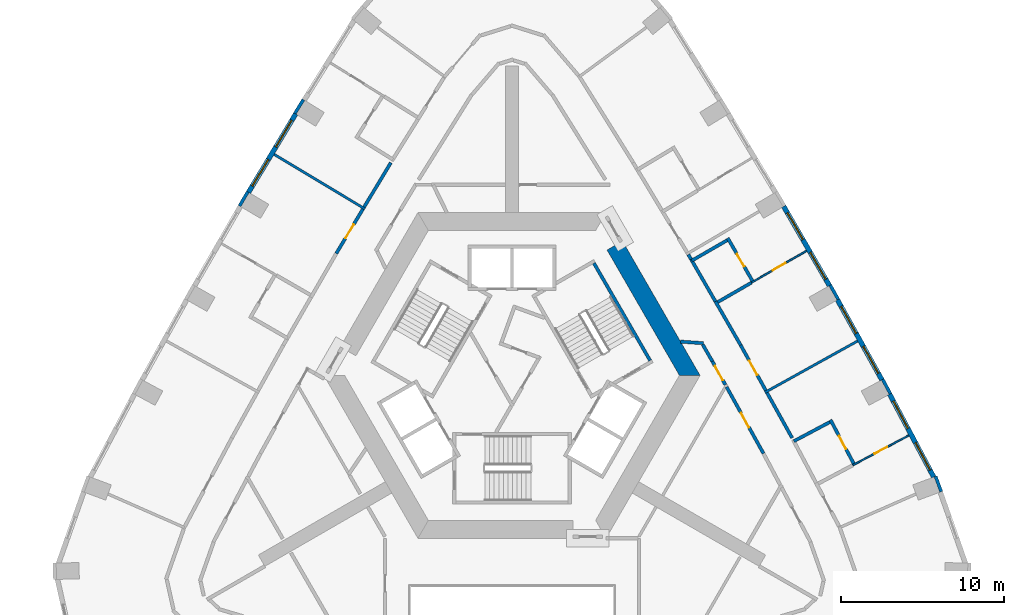
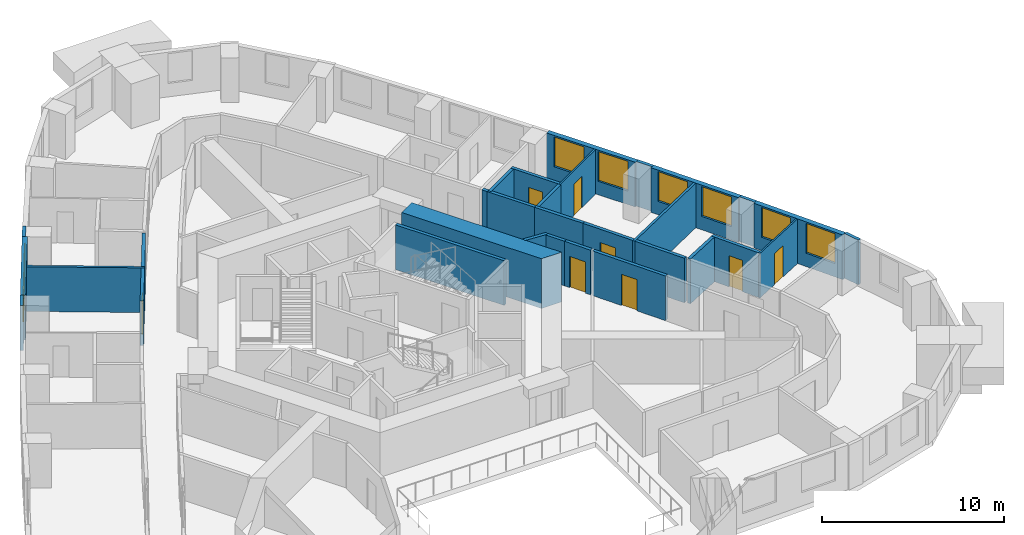
# One storey, part 7 of 12: 31 walls, 8 doors, 8 windows, 16 openings.
"""IFC4 building model written with IfcOpenShell, lengths in metres."""

from ifc_helpers import new_model, si_unit, direction, frame, frame_2d, origin, place, context, subcontext, project, spatial, polyline, rectangle, outline, extrude, material, layer, layer_set, type_object, element, fill, save


model = new_model("IFC4")

# Units and contexts
model_context = context("Model", 3, precision=1e-05, world=origin(), true_north=direction((0.0, 1.0)))
body_context = subcontext(model_context, "Body", "Model", "MODEL_VIEW")
ifc_project = project(units=[si_unit("LENGTHUNIT", "METRE"), si_unit("AREAUNIT", "SQUARE_METRE"), si_unit("VOLUMEUNIT", "CUBIC_METRE"), si_unit("PLANEANGLEUNIT", "RADIAN"), si_unit("MASSUNIT", "GRAM", prefix="KILO")], contexts=[model_context])

# Site, building, storey
site_placement = place(None, origin())
site = spatial("IfcSite", under=ifc_project, at=site_placement, CompositionType="ELEMENT")
building_placement = place(site_placement, origin())
building = spatial("IfcBuilding", under=site, at=building_placement, Name="Entoto Arch Interchange Tower", CompositionType="ELEMENT")
storey_placement = place(building_placement, frame((0.0, 0.0, 277.39990234375)))
storey = spatial("IfcBuildingStorey", under=building, at=storey_placement, Name="L64", CompositionType="ELEMENT", Elevation=277.39990234375)

# Wall
ifc_material_1 = material(Name="Concrete C40/50", Category="concrete")
ifc_layer_1 = layer(ifc_material_1, 1.10009765625)
ifc_layer_set_1 = layer_set([ifc_layer_1], Name="Concrete C40/50")
wall_type_1 = type_object("IfcWallType", Name="Core wall 1100 C40/50", PredefinedType="SHEAR", material=ifc_layer_set_1)
wall_1_placement = place(storey_placement, frame((0.0, 0.0, -0.33984375)))
element("IfcWall", 1, at=wall_1_placement, inside=storey, type_object=wall_type_1, Name="Core wall NE L64", PredefinedType="SHEAR", context=body_context, shape_type="SweptSolid", body=[
    extrude(outline(polyline([(6.785888671875, 10.7470703125), (5.8330078125, 10.197021484375), (10.277099609375, 2.5), (11.547119140625, 2.5), (6.785888671875, 10.7470703125)])), origin(), (0.0, 0.0, 1.0), 3.33984375),
])

# Wall, opening, door
ifc_material_2 = material(Name="Gypsum board partition on steel studs", Category="steel")
ifc_layer_2 = layer(ifc_material_2, 0.10009765625)
ifc_layer_set_2 = layer_set([ifc_layer_2], Name="Gypsum board partition on steel studs")
wall_type_2 = type_object("IfcWallType", Name="PARTITION 100", PredefinedType="PARTITIONING", material=ifc_layer_set_2)
wall_2_placement = place(storey_placement, frame((20.919921875, -3.014892578125, 0.0), z_axis=(0.0, 0.0, 1.0), x_axis=(0.882939758336, 0.469486297083, 0.0)))
wall_2 = element("IfcWall", 2, at=wall_2_placement, inside=storey, type_object=wall_type_2, Name="wall:L64:p096", PredefinedType="PARTITIONING", context=body_context, shape_type="SweptSolid", body=[
    extrude(rectangle(XDim=3.899658203125, YDim=0.10009765625, at=frame_2d((1.94970703125, 0.0))), origin(), (0.0, 0.0, 1.0), 3.0),
])
opening_1_placement = place(wall_2_placement, frame((1.5, 0.0, 0.0)))
opening_1 = element("IfcOpeningElement", 3, at=opening_1_placement, cuts=wall_2, Name="Opening L64-D02", PredefinedType="OPENING", context=body_context, shape_type="SweptSolid", body=[
    extrude(rectangle(XDim=0.89990234375, YDim=2.10009765625, at=frame_2d((0.449951171875, 1.050048828125))), frame((0.0, 0.06005859375, 0.0), z_axis=(0.0, -1.0, 0.0), x_axis=(1.0, 0.0, 0.0)), (0.0, 0.0, 1.0), 0.1201171875),
])
ifc_material_3 = material(Name="Timber door leaf in Steel S235 frame", Category="steel")
door_type_1 = type_object("IfcDoorType", Name="DOOR DS-09 900x2100", OperationType="SINGLE_SWING_LEFT", PredefinedType="DOOR", material=ifc_material_3)
door_1_placement = place(opening_1_placement, origin())
door_1 = element("IfcDoor", 4, at=door_1_placement, inside=storey, type_object=door_type_1, Name="door:L64:02", OperationType="SINGLE_SWING_LEFT", OverallHeight=2.10009765625, OverallWidth=0.89990234375, PredefinedType="DOOR", context=body_context, shape_type="SweptSolid", body=[
    extrude(rectangle(XDim=0.89990234375, YDim=2.10009765625, at=frame_2d((0.449951171875, 1.050048828125))), frame((0.0, 0.02490234375, 0.0), z_axis=(0.0, -1.0, 0.0), x_axis=(1.0, 0.0, 0.0)), (0.0, 0.0, 1.0), 0.050048828125),
])
fill(opening_1, door_1)

wall_3_placement = place(storey_placement, frame((14.70703125, 8.197998046875, 0.0), z_axis=(0.0, 0.0, 1.0), x_axis=(0.865995823051, 0.500051231833, 0.0)))
wall_3 = element("IfcWall", 5, at=wall_3_placement, inside=storey, type_object=wall_type_2, Name="wall:L64:p101", PredefinedType="PARTITIONING", context=body_context, shape_type="SweptSolid", body=[
    extrude(rectangle(XDim=3.8994140625, YDim=0.10009765625, at=frame_2d((1.94970703125, 0.0))), origin(), (0.0, 0.0, 1.0), 3.0),
])
opening_2_placement = place(wall_3_placement, frame((1.5, 0.0, 0.0)))
opening_2 = element("IfcOpeningElement", 6, at=opening_2_placement, cuts=wall_3, Name="Opening L64-D05", PredefinedType="OPENING", context=body_context, shape_type="SweptSolid", body=[
    extrude(rectangle(XDim=0.89990234375, YDim=2.10009765625, at=frame_2d((0.449951171875, 1.050048828125))), frame((0.0, 0.06005859375, 0.0), z_axis=(0.0, -1.0, 0.0), x_axis=(1.0, 0.0, 0.0)), (0.0, 0.0, 1.0), 0.1201171875),
])
door_2_placement = place(opening_2_placement, origin())
door_2 = element("IfcDoor", 7, at=door_2_placement, inside=storey, type_object=door_type_1, Name="door:L64:05", OperationType="SINGLE_SWING_LEFT", OverallHeight=2.10009765625, OverallWidth=0.89990234375, PredefinedType="DOOR", context=body_context, shape_type="SweptSolid", body=[
    extrude(rectangle(XDim=0.89990234375, YDim=2.10009765625, at=frame_2d((0.449951171875, 1.050048828125))), frame((0.0, 0.02490234375, 0.0), z_axis=(0.0, -1.0, 0.0), x_axis=(1.0, 0.0, 0.0)), (0.0, 0.0, 1.0), 0.050048828125),
])
fill(opening_2, door_2)

# Walls
ifc_layer_3 = layer(ifc_material_2, 0.14990234375)
ifc_layer_set_3 = layer_set([ifc_layer_3], Name="Gypsum board partition on steel studs")
wall_type_3 = type_object("IfcWallType", Name="PARTITION 150", PredefinedType="PARTITIONING", material=ifc_layer_set_3)
wall_4_placement = place(storey_placement, frame((15.531982421875, 1.45703125, 0.0), z_axis=(0.0, 0.0, 1.0), x_axis=(0.874467143452, 0.485084750351, 0.0)))
element("IfcWall", 8, at=wall_4_placement, inside=storey, type_object=wall_type_3, Name="wall:L64:p100", PredefinedType="PARTITIONING", context=body_context, shape_type="SweptSolid", body=[
    extrude(rectangle(XDim=6.5, YDim=0.14990234375, at=frame_2d((3.25, 0.0))), origin(), (0.0, 0.0, 1.0), 3.0),
])
wall_5_placement = place(storey_placement, frame((-9.028076171875, 12.721923828125, 0.0), z_axis=(0.0, 0.0, 1.0), x_axis=(-0.857330501016, 0.514766366449, 0.0)))
element("IfcWall", 9, at=wall_5_placement, inside=storey, type_object=wall_type_3, Name="wall:L64:p116", PredefinedType="PARTITIONING", context=body_context, shape_type="SweptSolid", body=[
    extrude(rectangle(XDim=6.50048828125, YDim=0.14990234375, at=frame_2d((3.250244140625, 0.0))), origin(), (0.0, 0.0, 1.0), 3.0),
])

# Wall, opening, door
ifc_layer_4 = layer(ifc_material_2, 0.199951171875)
ifc_layer_set_4 = layer_set([ifc_layer_4], Name="Gypsum board partition on steel studs")
wall_type_4 = type_object("IfcWallType", Name="PARTITION 200", PredefinedType="PARTITIONING", material=ifc_layer_set_4)
wall_6_placement = place(storey_placement, frame((13.10205078125, 1.9208984375, 0.0), z_axis=(0.0, 0.0, 1.0), x_axis=(-0.485065409582, 0.874477871891, 0.0)))
wall_6 = element("IfcWall", 10, at=wall_6_placement, inside=storey, type_object=wall_type_4, Name="wall:L64:p009", PredefinedType="PARTITIONING", context=body_context, shape_type="SweptSolid", body=[
    extrude(rectangle(XDim=1.6513671875, YDim=0.199951171875, at=frame_2d((0.82568359375, 0.0))), origin(), (0.0, 0.0, 1.0), 3.0),
])
opening_3_placement = place(wall_6_placement, frame((0.324951171875, 0.0, 0.0)))
opening_3 = element("IfcOpeningElement", 11, at=opening_3_placement, cuts=wall_6, Name="Opening L64-D32", PredefinedType="OPENING", context=body_context, shape_type="SweptSolid", body=[
    extrude(rectangle(XDim=1.0, YDim=2.10009765625, at=frame_2d((0.5, 1.050048828125))), frame((0.0, 0.10986328125, 0.0), z_axis=(0.0, -1.0, 0.0), x_axis=(1.0, 0.0, 0.0)), (0.0, 0.0, 1.0), 0.219970703125),
])
door_type_2 = type_object("IfcDoorType", Name="DOOR DS-10 1000x2100", OperationType="SINGLE_SWING_LEFT", PredefinedType="DOOR", material=ifc_material_3)
door_3_placement = place(opening_3_placement, origin())
door_3 = element("IfcDoor", 12, at=door_3_placement, inside=storey, type_object=door_type_2, Name="door:L64:32", OperationType="SINGLE_SWING_RIGHT", OverallHeight=2.10009765625, OverallWidth=1.0, PredefinedType="DOOR", context=body_context, shape_type="SweptSolid", body=[
    extrude(rectangle(XDim=1.0, YDim=2.10009765625, at=frame_2d((0.5, 1.050048828125))), frame((0.0, 0.02490234375, 0.0), z_axis=(0.0, -1.0, 0.0), x_axis=(1.0, 0.0, 0.0)), (0.0, 0.0, 1.0), 0.050048828125),
])
fill(opening_3, door_3)

# Walls
wall_7_placement = place(storey_placement, frame((12.301025390625, 3.364990234375, 0.0), z_axis=(0.0, 0.0, 1.0), x_axis=(-0.499823064078, 0.86612753369, 0.0)))
element("IfcWall", 13, at=wall_7_placement, inside=storey, type_object=wall_type_4, Name="wall:L64:p010", PredefinedType="PARTITIONING", context=body_context, shape_type="SweptSolid", body=[
    extrude(rectangle(XDim=1.1904296875, YDim=0.199951171875, at=frame_2d((0.59521484375, 0.0))), origin(), (0.0, 0.0, 1.0), 3.0),
])
wall_8_placement = place(storey_placement, frame((11.756103515625, 4.47607421875, 0.0), z_axis=(0.0, 0.0, 1.0), x_axis=(-0.99772020739, 0.067486204256, 0.0)))
element("IfcWall", 14, at=wall_8_placement, inside=storey, type_object=wall_type_4, Name="wall:L64:p011", PredefinedType="PARTITIONING", context=body_context, shape_type="SweptSolid", body=[
    extrude(rectangle(XDim=1.4072265625, YDim=0.199951171875, at=frame_2d((0.70361328125, 0.0))), origin(), (0.0, 0.0, 1.0), 3.0),
])

# Wall, opening, door
wall_9_placement = place(storey_placement, frame((15.43896484375, -2.29296875, 0.0), z_axis=(0.0, 0.0, 1.0), x_axis=(-0.485079003918, 0.874470331091, 0.0)))
wall_9 = element("IfcWall", 15, at=wall_9_placement, inside=storey, type_object=wall_type_4, Name="wall:L64:p021", PredefinedType="PARTITIONING", context=body_context, shape_type="SweptSolid", body=[
    extrude(rectangle(XDim=4.669189453125, YDim=0.199951171875, at=frame_2d((2.33447265625, 0.0))), origin(), (0.0, 0.0, 1.0), 3.0),
])
opening_4_placement = place(wall_9_placement, frame((1.833984375, 0.0, 0.0)))
opening_4 = element("IfcOpeningElement", 16, at=opening_4_placement, cuts=wall_9, Name="Opening L64-D22", PredefinedType="OPENING", context=body_context, shape_type="SweptSolid", body=[
    extrude(rectangle(XDim=1.0, YDim=2.10009765625, at=frame_2d((0.5, 1.050048828125))), frame((0.0, 0.10986328125, 0.0), z_axis=(0.0, -1.0, 0.0), x_axis=(1.0, 0.0, 0.0)), (0.0, 0.0, 1.0), 0.219970703125),
])
door_4_placement = place(opening_4_placement, origin())
door_4 = element("IfcDoor", 17, at=door_4_placement, inside=storey, type_object=door_type_2, Name="door:L64:22", OperationType="SINGLE_SWING_LEFT", OverallHeight=2.10009765625, OverallWidth=1.0, PredefinedType="DOOR", context=body_context, shape_type="SweptSolid", body=[
    extrude(rectangle(XDim=1.0, YDim=2.10009765625, at=frame_2d((0.5, 1.050048828125))), frame((0.0, 0.02490234375, 0.0), z_axis=(0.0, -1.0, 0.0), x_axis=(1.0, 0.0, 0.0)), (0.0, 0.0, 1.0), 0.050048828125),
])
fill(opening_4, door_4)

# Walls
wall_10_placement = place(storey_placement, frame((15.655029296875, 1.43994140625, 0.0), z_axis=(0.0, 0.0, 1.0), x_axis=(0.485107756493, -0.87445438108, 0.0)))
element("IfcWall", 18, at=wall_10_placement, inside=storey, type_object=wall_type_4, Name="wall:L64:p043", PredefinedType="PARTITIONING", context=body_context, shape_type="SweptSolid", body=[
    extrude(rectangle(XDim=3.1767578125, YDim=0.199951171875, at=frame_2d((1.58837890625, 0.0))), origin(), (0.0, 0.0, 1.0), 3.0),
])
wall_11_placement = place(storey_placement, frame((12.491943359375, 7.034912109375, 0.0), z_axis=(0.0, 0.0, 1.0), x_axis=(0.49999285859, -0.86602952684, 0.0)))
element("IfcWall", 19, at=wall_11_placement, inside=storey, type_object=wall_type_4, Name="wall:L64:p045", PredefinedType="PARTITIONING", context=body_context, shape_type="SweptSolid", body=[
    extrude(rectangle(XDim=3.10009765625, YDim=0.199951171875, at=frame_2d((1.550048828125, 0.0))), origin(), (0.0, 0.0, 1.0), 3.0),
])

# Wall, opening, door
wall_12_placement = place(storey_placement, frame((14.0419921875, 4.35009765625, 0.0), z_axis=(0.0, 0.0, 1.0), x_axis=(0.484944791944, -0.874544766588, 0.0)))
wall_12 = element("IfcWall", 20, at=wall_12_placement, inside=storey, type_object=wall_type_4, Name="wall:L64:p046", PredefinedType="PARTITIONING", context=body_context, shape_type="SweptSolid", body=[
    extrude(rectangle(XDim=3.177734375, YDim=0.199951171875, at=frame_2d((1.5888671875, 0.0))), origin(), (0.0, 0.0, 1.0), 3.0),
])
opening_5_placement = place(wall_12_placement, frame((1.089111328125, 0.0, 0.0)))
opening_5 = element("IfcOpeningElement", 21, at=opening_5_placement, cuts=wall_12, Name="Opening L64-D04", PredefinedType="OPENING", context=body_context, shape_type="SweptSolid", body=[
    extrude(rectangle(XDim=1.0, YDim=2.10009765625, at=frame_2d((0.5, 1.050048828125))), frame((0.0, 0.10986328125, 0.0), z_axis=(0.0, -1.0, 0.0), x_axis=(1.0, 0.0, 0.0)), (0.0, 0.0, 1.0), 0.219970703125),
])
ifc_material_4 = material(Name="Fire-rated Steel S235 door and frame", Category="steel")
door_type_3 = type_object("IfcDoorType", Name="DOOR FD-10 1000x2100", OperationType="SINGLE_SWING_LEFT", PredefinedType="DOOR", material=ifc_material_4)
door_5_placement = place(opening_5_placement, origin())
door_5 = element("IfcDoor", 22, at=door_5_placement, inside=storey, type_object=door_type_3, Name="door:L64:04", OperationType="SINGLE_SWING_LEFT", OverallHeight=2.10009765625, OverallWidth=1.0, PredefinedType="DOOR", context=body_context, shape_type="SweptSolid", body=[
    extrude(rectangle(XDim=1.0, YDim=2.10009765625, at=frame_2d((0.5, 1.050048828125))), frame((0.0, 0.02490234375, 0.0), z_axis=(0.0, -1.0, 0.0), x_axis=(1.0, 0.0, 0.0)), (0.0, 0.0, 1.0), 0.050048828125),
])
fill(opening_5, door_5)

# Walls
wall_13_placement = place(storey_placement, frame((10.825927734375, 9.919921875, 0.0), z_axis=(0.0, 0.0, 1.0), x_axis=(0.5008910821, -0.865510325688, 0.0)))
element("IfcWall", 23, at=wall_13_placement, inside=storey, type_object=wall_type_4, Name="wall:L64:p047", PredefinedType="PARTITIONING", context=body_context, shape_type="SweptSolid", body=[
    extrude(rectangle(XDim=0.33154296875, YDim=0.199951171875, at=frame_2d((0.165771484375, 0.0))), origin(), (0.0, 0.0, 1.0), 3.0),
])
wall_14_placement = place(storey_placement, frame((10.991943359375, 9.633056640625, 0.0), z_axis=(0.0, 0.0, 1.0), x_axis=(0.499990139034, -0.866031096941, 0.0)))
element("IfcWall", 24, at=wall_14_placement, inside=storey, type_object=wall_type_4, Name="wall:L64:p048", PredefinedType="PARTITIONING", context=body_context, shape_type="SweptSolid", body=[
    extrude(rectangle(XDim=3.0, YDim=0.199951171875, at=frame_2d((1.5, 0.0))), origin(), (0.0, 0.0, 1.0), 3.0),
])
wall_15_placement = place(storey_placement, frame((-9.074951171875, 12.8369140625, 0.0), z_axis=(0.0, 0.0, 1.0), x_axis=(0.514620055475, 0.857418333431, 0.0)))
element("IfcWall", 25, at=wall_15_placement, inside=storey, type_object=wall_type_4, Name="wall:L64:p058", PredefinedType="PARTITIONING", context=body_context, shape_type="SweptSolid", body=[
    extrude(rectangle(XDim=3.177001953125, YDim=0.199951171875, at=frame_2d((1.58837890625, 0.0))), origin(), (0.0, 0.0, 1.0), 3.0),
])

# Wall, opening, door
wall_16_placement = place(storey_placement, frame((-10.7890625, 9.985107421875, 0.0), z_axis=(0.0, 0.0, 1.0), x_axis=(0.51487988517, 0.857262330823, 0.0)))
wall_16 = element("IfcWall", 26, at=wall_16_placement, inside=storey, type_object=wall_type_4, Name="wall:L64:p061", PredefinedType="PARTITIONING", context=body_context, shape_type="SweptSolid", body=[
    extrude(rectangle(XDim=3.177490234375, YDim=0.199951171875, at=frame_2d((1.5888671875, 0.0))), origin(), (0.0, 0.0, 1.0), 3.0),
])
opening_6_placement = place(wall_16_placement, frame((1.089111328125, 0.0, 0.0)))
opening_6 = element("IfcOpeningElement", 27, at=opening_6_placement, cuts=wall_16, Name="Opening L64-D13", PredefinedType="OPENING", context=body_context, shape_type="SweptSolid", body=[
    extrude(rectangle(XDim=1.0, YDim=2.10009765625, at=frame_2d((0.5, 1.050048828125))), frame((0.0, 0.10986328125, 0.0), z_axis=(0.0, -1.0, 0.0), x_axis=(1.0, 0.0, 0.0)), (0.0, 0.0, 1.0), 0.219970703125),
])
door_6_placement = place(opening_6_placement, origin())
door_6 = element("IfcDoor", 28, at=door_6_placement, inside=storey, type_object=door_type_3, Name="door:L64:13", OperationType="SINGLE_SWING_RIGHT", OverallHeight=2.10009765625, OverallWidth=1.0, PredefinedType="DOOR", context=body_context, shape_type="SweptSolid", body=[
    extrude(rectangle(XDim=1.0, YDim=2.10009765625, at=frame_2d((0.5, 1.050048828125))), frame((0.0, 0.02490234375, 0.0), z_axis=(0.0, -1.0, 0.0), x_axis=(1.0, 0.0, 0.0)), (0.0, 0.0, 1.0), 0.050048828125),
])
fill(opening_6, door_6)

wall_17_placement = place(storey_placement, frame((21.031982421875, -3.011962890625, 0.0), z_axis=(0.0, 0.0, 1.0), x_axis=(-0.469791613002, 0.882777344721, 0.0)))
wall_17 = element("IfcWall", 29, at=wall_17_placement, inside=storey, type_object=wall_type_4, Name="wall:L64:p098", PredefinedType="PARTITIONING", context=body_context, shape_type="SweptSolid", body=[
    extrude(rectangle(XDim=3.150390625, YDim=0.199951171875, at=frame_2d((1.5751953125, 0.0))), origin(), (0.0, 0.0, 1.0), 3.0),
])
opening_7_placement = place(wall_17_placement, frame((1.125, 0.0, 0.0)))
opening_7 = element("IfcOpeningElement", 30, at=opening_7_placement, cuts=wall_17, Name="Opening L64-D03", PredefinedType="OPENING", context=body_context, shape_type="SweptSolid", body=[
    extrude(rectangle(XDim=0.89990234375, YDim=2.10009765625, at=frame_2d((0.449951171875, 1.050048828125))), frame((0.0, 0.10986328125, 0.0), z_axis=(0.0, -1.0, 0.0), x_axis=(1.0, 0.0, 0.0)), (0.0, 0.0, 1.0), 0.219970703125),
])
door_7_placement = place(opening_7_placement, origin())
door_7 = element("IfcDoor", 31, at=door_7_placement, inside=storey, type_object=door_type_1, Name="door:L64:03", OperationType="SINGLE_SWING_LEFT", OverallHeight=2.10009765625, OverallWidth=0.89990234375, PredefinedType="DOOR", context=body_context, shape_type="SweptSolid", body=[
    extrude(rectangle(XDim=0.89990234375, YDim=2.10009765625, at=frame_2d((0.449951171875, 1.050048828125))), frame((0.0, 0.02490234375, 0.0), z_axis=(0.0, -1.0, 0.0), x_axis=(1.0, 0.0, 0.0)), (0.0, 0.0, 1.0), 0.050048828125),
])
fill(opening_7, door_7)

# Walls
wall_18_placement = place(storey_placement, frame((19.510986328125, -0.366943359375, 0.0), z_axis=(0.0, 0.0, 1.0), x_axis=(-0.883014523832, -0.46934566228, 0.0)))
element("IfcWall", 32, at=wall_18_placement, inside=storey, type_object=wall_type_4, Name="wall:L64:p099", PredefinedType="PARTITIONING", context=body_context, shape_type="SweptSolid", body=[
    extrude(rectangle(XDim=2.49951171875, YDim=0.199951171875, at=frame_2d((1.249755859375, 0.0))), origin(), (0.0, 0.0, 1.0), 3.0),
])
wall_19_placement = place(storey_placement, frame((12.6279296875, 6.998046875, 0.0), z_axis=(0.0, 0.0, 1.0), x_axis=(0.866100915363, 0.499869187296, 0.0)))
element("IfcWall", 33, at=wall_19_placement, inside=storey, type_object=wall_type_4, Name="wall:L64:p102", PredefinedType="PARTITIONING", context=body_context, shape_type="SweptSolid", body=[
    extrude(rectangle(XDim=2.400634765625, YDim=0.199951171875, at=frame_2d((1.2001953125, 0.0))), origin(), (0.0, 0.0, 1.0), 3.0),
])

# Wall, opening, door
wall_20_placement = place(storey_placement, frame((14.818115234375, 8.205078125, 0.0), z_axis=(0.0, 0.0, 1.0), x_axis=(-0.499807449307, 0.866136544441, 0.0)))
wall_20 = element("IfcWall", 34, at=wall_20_placement, inside=storey, type_object=wall_type_4, Name="wall:L64:p103", PredefinedType="PARTITIONING", context=body_context, shape_type="SweptSolid", body=[
    extrude(rectangle(XDim=3.149658203125, YDim=0.199951171875, at=frame_2d((1.57470703125, 0.0))), origin(), (0.0, 0.0, 1.0), 3.0),
])
opening_8_placement = place(wall_20_placement, frame((1.125, 0.0, 0.0)))
opening_8 = element("IfcOpeningElement", 35, at=opening_8_placement, cuts=wall_20, Name="Opening L64-D06", PredefinedType="OPENING", context=body_context, shape_type="SweptSolid", body=[
    extrude(rectangle(XDim=0.89990234375, YDim=2.10009765625, at=frame_2d((0.449951171875, 1.050048828125))), frame((0.0, 0.10986328125, 0.0), z_axis=(0.0, -1.0, 0.0), x_axis=(1.0, 0.0, 0.0)), (0.0, 0.0, 1.0), 0.219970703125),
])
door_8_placement = place(opening_8_placement, origin())
door_8 = element("IfcDoor", 36, at=door_8_placement, inside=storey, type_object=door_type_1, Name="door:L64:06", OperationType="SINGLE_SWING_RIGHT", OverallHeight=2.10009765625, OverallWidth=0.89990234375, PredefinedType="DOOR", context=body_context, shape_type="SweptSolid", body=[
    extrude(rectangle(XDim=0.89990234375, YDim=2.10009765625, at=frame_2d((0.449951171875, 1.050048828125))), frame((0.0, 0.02490234375, 0.0), z_axis=(0.0, -1.0, 0.0), x_axis=(1.0, 0.0, 0.0)), (0.0, 0.0, 1.0), 0.050048828125),
])
fill(opening_8, door_8)

# Walls
wall_21_placement = place(storey_placement, frame((13.20703125, 10.7958984375, 0.0), z_axis=(0.0, 0.0, 1.0), x_axis=(-0.866022959057, -0.500004234368, 0.0)))
element("IfcWall", 37, at=wall_21_placement, inside=storey, type_object=wall_type_4, Name="wall:L64:p104", PredefinedType="PARTITIONING", context=body_context, shape_type="SweptSolid", body=[
    extrude(rectangle(XDim=2.5, YDim=0.199951171875, at=frame_2d((1.25, 0.0))), origin(), (0.0, 0.0, 1.0), 3.0),
])
ifc_layer_5 = layer(ifc_material_1, 0.199951171875)
ifc_layer_set_5 = layer_set([ifc_layer_5], Name="Concrete C40/50")
wall_type_5 = type_object("IfcWallType", Name="STAIR ENCLOSURE WALL 200", PredefinedType="STANDARD", material=ifc_layer_set_5)
wall_22_placement = place(storey_placement, frame((8.47998046875, 3.412109375, 0.0), z_axis=(0.0, 0.0, 1.0), x_axis=(-0.499978703459, 0.866037698999, 0.0)))
element("IfcWall", 38, at=wall_22_placement, inside=storey, type_object=wall_type_5, Name="Stair wall ST-NE back", PredefinedType="STANDARD", context=body_context, shape_type="SweptSolid", body=[
    extrude(rectangle(XDim=6.900146484375, YDim=0.199951171875, at=frame_2d((3.4501953125, 0.0))), origin(), (0.0, 0.0, 1.0), 3.0),
])

# Wall, openings, windows
ifc_material_5 = material(Name="Welded tuff (ignimbrite) cladding, warm buff", Category="masonry")
ifc_layer_6 = layer(ifc_material_5, 0.300048828125)
ifc_layer_set_6 = layer_set([ifc_layer_6], Name="Welded tuff (ignimbrite) cladding, warm buff")
wall_type_6 = type_object("IfcWallType", Name="STONE INFILL WALL 300", PredefinedType="STANDARD", material=ifc_layer_set_6)
wall_23_placement = place(storey_placement, frame((25.89501953125, -3.743896484375, 0.0), z_axis=(0.0, 0.0, 1.0), x_axis=(-0.469691596427, 0.882830563724, 0.0)))
wall_23 = element("IfcWall", 39, at=wall_23_placement, inside=storey, type_object=wall_type_6, Name="Facade wall NE-01 L64", PredefinedType="STANDARD", context=body_context, shape_type="SweptSolid", body=[
    extrude(rectangle(XDim=5.767578125, YDim=0.300048828125, at=frame_2d((2.8837890625, 0.0))), origin(), (0.0, 0.0, 1.0), 3.0),
])
opening_9_placement = place(wall_23_placement, frame((0.491943359375, 0.0, 0.89990234375)))
opening_9 = element("IfcOpeningElement", 40, at=opening_9_placement, cuts=wall_23, Name="Opening WH-C", PredefinedType="OPENING", context=body_context, shape_type="SweptSolid", body=[
    extrude(rectangle(XDim=1.89990234375, YDim=2.0, at=frame_2d((0.949951171875, 1.0))), frame((0.0, 0.16015625, 0.0), z_axis=(0.0, -1.0, 0.0), x_axis=(1.0, 0.0, 0.0)), (0.0, 0.0, 1.0), 0.320068359375),
])
opening_10_placement = place(wall_23_placement, frame((3.3759765625, 0.0, 0.89990234375)))
opening_10 = element("IfcOpeningElement", 41, at=opening_10_placement, cuts=wall_23, Name="Opening WH-C", PredefinedType="OPENING", context=body_context, shape_type="SweptSolid", body=[
    extrude(rectangle(XDim=1.89990234375, YDim=2.0, at=frame_2d((0.949951171875, 1.0))), frame((0.0, 0.16015625, 0.0), z_axis=(0.0, -1.0, 0.0), x_axis=(1.0, 0.0, 0.0)), (0.0, 0.0, 1.0), 0.320068359375),
])
ifc_material_6 = material(Name="Clear glass, low-e double glazed", Category="glass")
window_type = type_object("IfcWindowType", Name="WINDOW WH-C 1900x2000", PartitioningType="DOUBLE_PANEL_VERTICAL", PredefinedType="WINDOW", material=ifc_material_6)
window_1_placement = place(opening_9_placement, origin())
window_1 = element("IfcWindow", 42, at=window_1_placement, inside=storey, type_object=window_type, Name="Window WH-C NE-01 L64", OverallHeight=2.0, OverallWidth=1.89990234375, PartitioningType="SINGLE_PANEL", PredefinedType="WINDOW", context=body_context, shape_type="SweptSolid", body=[
    extrude(rectangle(XDim=1.89990234375, YDim=2.0, at=frame_2d((0.949951171875, 1.0))), frame((0.0, 0.030029296875, 0.0), z_axis=(0.0, -1.0, 0.0), x_axis=(1.0, 0.0, 0.0)), (0.0, 0.0, 1.0), 0.06005859375),
])
fill(opening_9, window_1)
window_2_placement = place(opening_10_placement, origin())
window_2 = element("IfcWindow", 43, at=window_2_placement, inside=storey, type_object=window_type, Name="Window WH-C NE-01 L64", OverallHeight=2.0, OverallWidth=1.89990234375, PartitioningType="SINGLE_PANEL", PredefinedType="WINDOW", context=body_context, shape_type="SweptSolid", body=[
    extrude(rectangle(XDim=1.89990234375, YDim=2.0, at=frame_2d((0.949951171875, 1.0))), frame((0.0, 0.030029296875, 0.0), z_axis=(0.0, -1.0, 0.0), x_axis=(1.0, 0.0, 0.0)), (0.0, 0.0, 1.0), 0.06005859375),
])
fill(opening_10, window_2)

wall_24_placement = place(storey_placement, frame((22.7099609375, 2.22509765625, 0.0), z_axis=(0.0, 0.0, 1.0), x_axis=(-0.485049005017, 0.874486971162, 0.0)))
wall_24 = element("IfcWall", 44, at=wall_24_placement, inside=storey, type_object=wall_type_6, Name="Facade wall NE-02 L64", PredefinedType="STANDARD", context=body_context, shape_type="SweptSolid", body=[
    extrude(rectangle(XDim=5.6201171875, YDim=0.300048828125, at=frame_2d((2.81005859375, 0.0))), origin(), (0.0, 0.0, 1.0), 3.0),
])
opening_11_placement = place(wall_24_placement, frame((0.455078125, 0.0, 0.89990234375)))
opening_11 = element("IfcOpeningElement", 45, at=opening_11_placement, cuts=wall_24, Name="Opening WH-C", PredefinedType="OPENING", context=body_context, shape_type="SweptSolid", body=[
    extrude(rectangle(XDim=1.89990234375, YDim=2.0, at=frame_2d((0.949951171875, 1.0))), frame((0.0, 0.16015625, 0.0), z_axis=(0.0, -1.0, 0.0), x_axis=(1.0, 0.0, 0.0)), (0.0, 0.0, 1.0), 0.320068359375),
])
opening_12_placement = place(wall_24_placement, frame((3.264892578125, 0.0, 0.89990234375)))
opening_12 = element("IfcOpeningElement", 46, at=opening_12_placement, cuts=wall_24, Name="Opening WH-C", PredefinedType="OPENING", context=body_context, shape_type="SweptSolid", body=[
    extrude(rectangle(XDim=1.89990234375, YDim=2.0, at=frame_2d((0.949951171875, 1.0))), frame((0.0, 0.16015625, 0.0), z_axis=(0.0, -1.0, 0.0), x_axis=(1.0, 0.0, 0.0)), (0.0, 0.0, 1.0), 0.320068359375),
])
window_3_placement = place(opening_11_placement, origin())
window_3 = element("IfcWindow", 47, at=window_3_placement, inside=storey, type_object=window_type, Name="Window WH-C NE-02 L64", OverallHeight=2.0, OverallWidth=1.89990234375, PartitioningType="SINGLE_PANEL", PredefinedType="WINDOW", context=body_context, shape_type="SweptSolid", body=[
    extrude(rectangle(XDim=1.89990234375, YDim=2.0, at=frame_2d((0.949951171875, 1.0))), frame((0.0, 0.030029296875, 0.0), z_axis=(0.0, -1.0, 0.0), x_axis=(1.0, 0.0, 0.0)), (0.0, 0.0, 1.0), 0.06005859375),
])
fill(opening_11, window_3)
window_4_placement = place(opening_12_placement, origin())
window_4 = element("IfcWindow", 48, at=window_4_placement, inside=storey, type_object=window_type, Name="Window WH-C NE-02 L64", OverallHeight=2.0, OverallWidth=1.89990234375, PartitioningType="SINGLE_PANEL", PredefinedType="WINDOW", context=body_context, shape_type="SweptSolid", body=[
    extrude(rectangle(XDim=1.89990234375, YDim=2.0, at=frame_2d((0.949951171875, 1.0))), frame((0.0, 0.030029296875, 0.0), z_axis=(0.0, -1.0, 0.0), x_axis=(1.0, 0.0, 0.0)), (0.0, 0.0, 1.0), 0.06005859375),
])
fill(opening_12, window_4)

wall_25_placement = place(storey_placement, frame((19.492919921875, 8.008056640625, 0.0), z_axis=(0.0, 0.0, 1.0), x_axis=(-0.49999685976, 0.866027216796, 0.0)))
wall_25 = element("IfcWall", 49, at=wall_25_placement, inside=storey, type_object=wall_type_6, Name="Facade wall NE-03 L64", PredefinedType="STANDARD", context=body_context, shape_type="SweptSolid", body=[
    extrude(rectangle(XDim=5.6220703125, YDim=0.300048828125, at=frame_2d((2.81103515625, 0.0))), origin(), (0.0, 0.0, 1.0), 3.0),
])
opening_13_placement = place(wall_25_placement, frame((0.4560546875, 0.0, 0.89990234375)))
opening_13 = element("IfcOpeningElement", 50, at=opening_13_placement, cuts=wall_25, Name="Opening WH-C", PredefinedType="OPENING", context=body_context, shape_type="SweptSolid", body=[
    extrude(rectangle(XDim=1.89990234375, YDim=2.0, at=frame_2d((0.949951171875, 1.0))), frame((0.0, 0.16015625, 0.0), z_axis=(0.0, -1.0, 0.0), x_axis=(1.0, 0.0, 0.0)), (0.0, 0.0, 1.0), 0.320068359375),
])
opening_14_placement = place(wall_25_placement, frame((3.26708984375, 0.0, 0.89990234375)))
opening_14 = element("IfcOpeningElement", 51, at=opening_14_placement, cuts=wall_25, Name="Opening WH-C", PredefinedType="OPENING", context=body_context, shape_type="SweptSolid", body=[
    extrude(rectangle(XDim=1.89990234375, YDim=2.0, at=frame_2d((0.949951171875, 1.0))), frame((0.0, 0.16015625, 0.0), z_axis=(0.0, -1.0, 0.0), x_axis=(1.0, 0.0, 0.0)), (0.0, 0.0, 1.0), 0.320068359375),
])
window_5_placement = place(opening_13_placement, origin())
window_5 = element("IfcWindow", 52, at=window_5_placement, inside=storey, type_object=window_type, Name="Window WH-C NE-03 L64", OverallHeight=2.0, OverallWidth=1.89990234375, PartitioningType="SINGLE_PANEL", PredefinedType="WINDOW", context=body_context, shape_type="SweptSolid", body=[
    extrude(rectangle(XDim=1.89990234375, YDim=2.0, at=frame_2d((0.949951171875, 1.0))), frame((0.0, 0.030029296875, 0.0), z_axis=(0.0, -1.0, 0.0), x_axis=(1.0, 0.0, 0.0)), (0.0, 0.0, 1.0), 0.06005859375),
])
fill(opening_13, window_5)
window_6_placement = place(opening_14_placement, origin())
window_6 = element("IfcWindow", 53, at=window_6_placement, inside=storey, type_object=window_type, Name="Window WH-C NE-03 L64", OverallHeight=2.0, OverallWidth=1.89990234375, PartitioningType="SINGLE_PANEL", PredefinedType="WINDOW", context=body_context, shape_type="SweptSolid", body=[
    extrude(rectangle(XDim=1.89990234375, YDim=2.0, at=frame_2d((0.949951171875, 1.0))), frame((0.0, 0.030029296875, 0.0), z_axis=(0.0, -1.0, 0.0), x_axis=(1.0, 0.0, 0.0)), (0.0, 0.0, 1.0), 0.06005859375),
])
fill(opening_14, window_6)

wall_26_placement = place(storey_placement, frame((-13.281982421875, 18.553955078125, 0.0), z_axis=(0.0, 0.0, 1.0), x_axis=(-0.515006791362, -0.857186096977, 0.0)))
wall_26 = element("IfcWall", 54, at=wall_26_placement, inside=storey, type_object=wall_type_6, Name="Facade wall NW-02 L64", PredefinedType="STANDARD", context=body_context, shape_type="SweptSolid", body=[
    extrude(rectangle(XDim=5.619384765625, YDim=0.300048828125, at=frame_2d((2.8095703125, 0.0))), origin(), (0.0, 0.0, 1.0), 3.0),
])
opening_15_placement = place(wall_26_placement, frame((0.455078125, 0.0, 0.89990234375)))
opening_15 = element("IfcOpeningElement", 55, at=opening_15_placement, cuts=wall_26, Name="Opening WH-C", PredefinedType="OPENING", context=body_context, shape_type="SweptSolid", body=[
    extrude(rectangle(XDim=1.89990234375, YDim=2.0, at=frame_2d((0.949951171875, 1.0))), frame((0.0, 0.16015625, 0.0), z_axis=(0.0, -1.0, 0.0), x_axis=(1.0, 0.0, 0.0)), (0.0, 0.0, 1.0), 0.320068359375),
])
opening_16_placement = place(wall_26_placement, frame((3.264892578125, 0.0, 0.89990234375)))
opening_16 = element("IfcOpeningElement", 56, at=opening_16_placement, cuts=wall_26, Name="Opening WH-C", PredefinedType="OPENING", context=body_context, shape_type="SweptSolid", body=[
    extrude(rectangle(XDim=1.89990234375, YDim=2.0, at=frame_2d((0.949951171875, 1.0))), frame((0.0, 0.16015625, 0.0), z_axis=(0.0, -1.0, 0.0), x_axis=(1.0, 0.0, 0.0)), (0.0, 0.0, 1.0), 0.320068359375),
])
window_7_placement = place(opening_15_placement, origin())
window_7 = element("IfcWindow", 57, at=window_7_placement, inside=storey, type_object=window_type, Name="Window WH-C NW-02 L64", OverallHeight=2.0, OverallWidth=1.89990234375, PartitioningType="SINGLE_PANEL", PredefinedType="WINDOW", context=body_context, shape_type="SweptSolid", body=[
    extrude(rectangle(XDim=1.89990234375, YDim=2.0, at=frame_2d((0.949951171875, 1.0))), frame((0.0, 0.030029296875, 0.0), z_axis=(0.0, -1.0, 0.0), x_axis=(1.0, 0.0, 0.0)), (0.0, 0.0, 1.0), 0.06005859375),
])
fill(opening_15, window_7)
window_8_placement = place(opening_16_placement, origin())
window_8 = element("IfcWindow", 58, at=window_8_placement, inside=storey, type_object=window_type, Name="Window WH-C NW-02 L64", OverallHeight=2.0, OverallWidth=1.89990234375, PartitioningType="SINGLE_PANEL", PredefinedType="WINDOW", context=body_context, shape_type="SweptSolid", body=[
    extrude(rectangle(XDim=1.89990234375, YDim=2.0, at=frame_2d((0.949951171875, 1.0))), frame((0.0, 0.030029296875, 0.0), z_axis=(0.0, -1.0, 0.0), x_axis=(1.0, 0.0, 0.0)), (0.0, 0.0, 1.0), 0.06005859375),
])
fill(opening_16, window_8)

# Walls
ifc_layer_7 = layer(ifc_material_5, 0.199951171875)
ifc_layer_set_7 = layer_set([ifc_layer_7], Name="Welded tuff (ignimbrite) cladding, warm buff")
wall_type_7 = type_object("IfcWallType", Name="STONE PIER CLADDING 200", PredefinedType="STANDARD", material=ifc_layer_set_7)
wall_27_placement = place(storey_placement, frame((26.35302734375, -4.639892578125, 0.0), z_axis=(0.0, 0.0, 1.0), x_axis=(-0.346892928577, 0.937904737222, 0.0)))
element("IfcWall", 59, at=wall_27_placement, inside=storey, type_object=wall_type_7, Name="Stone pier NE01 L64", PredefinedType="STANDARD", context=body_context, shape_type="SweptSolid", body=[
    extrude(rectangle(XDim=1.0, YDim=0.199951171875, at=frame_2d((0.5, 0.0))), origin(), (0.0, 0.0, 1.0), 3.0),
])
for number, where, z_axis, x_axis, name in (
    (60, (23.23291015625, 1.3720703125, 0.0), (0.0, 0.0, 1.0), (-0.473765014438, 0.880651299377, 0.0), "Stone pier NE02 L64"),
    (61, (20.031982421875, 7.1650390625, 0.0), (0.0, 0.0, 1.0), (-0.491848119507, 0.870681013539, 0.0), "Stone pier NE03 L64"),
):
    element("IfcWall", number, at=place(storey_placement, frame(where, z_axis=z_axis, x_axis=x_axis)), inside=storey, type_object=wall_type_7, Name=name, PredefinedType="STANDARD", context=body_context, shape_type="SweptSolid", body=[
        extrude(rectangle(XDim=1.000244140625, YDim=0.199951171875, at=frame_2d((0.5, 0.0))), origin(), (0.0, 0.0, 1.0), 3.0),
    ])
wall_28_placement = place(storey_placement, frame((-12.804931640625, 19.43408203125, 0.0), z_axis=(0.0, 0.0, 1.0), x_axis=(-0.525825307325, -0.850592585306, 0.0)))
element("IfcWall", 62, at=wall_28_placement, inside=storey, type_object=wall_type_7, Name="Stone pier NW02 L64", PredefinedType="STANDARD", context=body_context, shape_type="SweptSolid", body=[
    extrude(rectangle(XDim=1.00048828125, YDim=0.199951171875, at=frame_2d((0.500244140625, 0.0))), origin(), (0.0, 0.0, 1.0), 3.0),
])
wall_29_placement = place(storey_placement, frame((-16.221923828125, 13.764892578125, 0.0), z_axis=(0.0, 0.0, 1.0), x_axis=(-0.508268432768, -0.861198699634, 0.0)))
element("IfcWall", 63, at=wall_29_placement, inside=storey, type_object=wall_type_7, Name="Stone pier NW03 L64", PredefinedType="STANDARD", context=body_context, shape_type="SweptSolid", body=[
    extrude(rectangle(XDim=0.99951171875, YDim=0.199951171875, at=frame_2d((0.499755859375, 0.0))), origin(), (0.0, 0.0, 1.0), 3.0),
])

save(model, "model.ifc")
